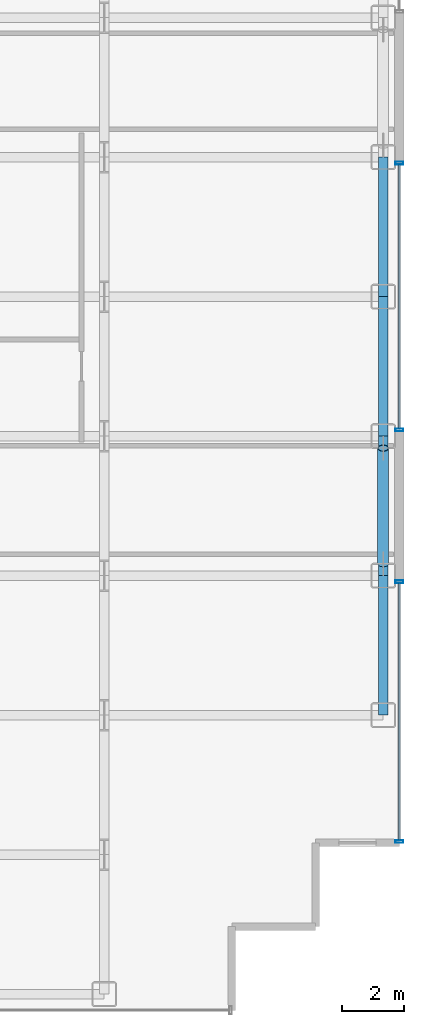
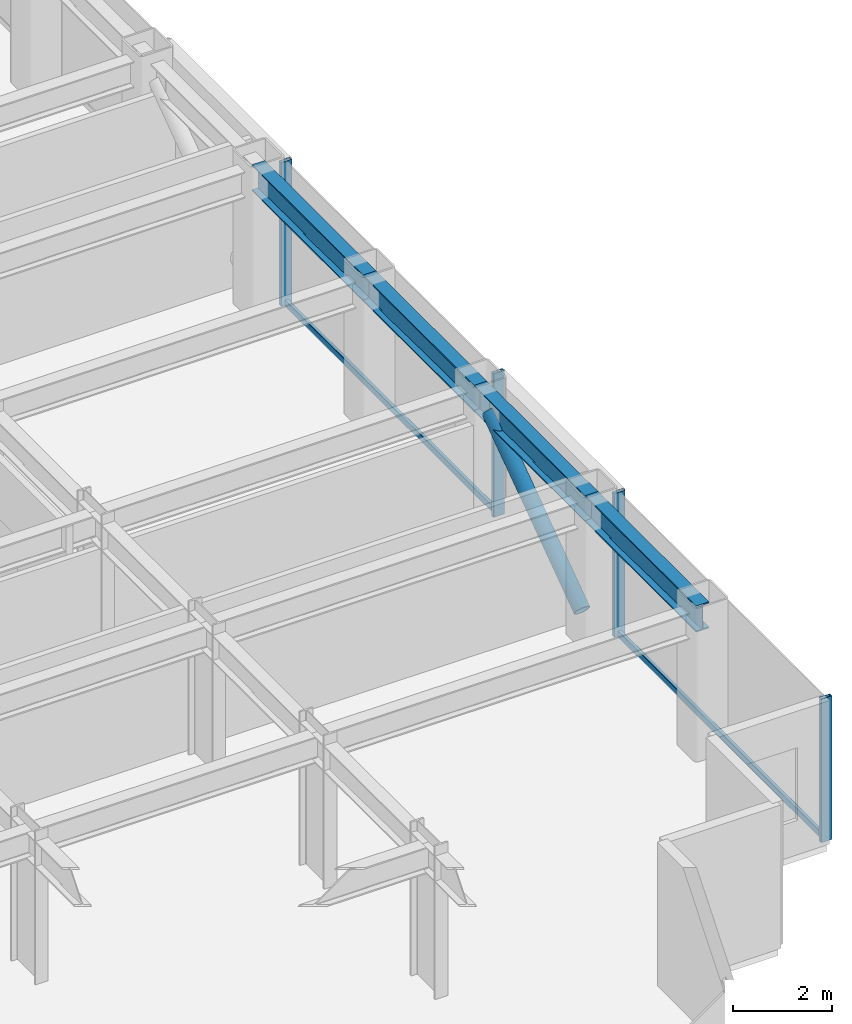
# One storey, part 18 of 29: 7 members, 4 beams, 2 elements without a shape of their own.
"""IFC4 building model written with IfcOpenShell, lengths in metres."""

from ifc_helpers import new_model, si_unit, direction, frame, origin, origin_2d, place, context, subcontext, project, spatial, hollow_rectangle, hollow_circle, i_section, extrude, source, transform, mapped, material, layer, layer_set, material_profile, profile_set, type_object, element, aggregate, save


model = new_model("IFC4")

# Units and contexts
model_context = context("Model", 3, precision=1e-05, world=origin(), true_north=direction((0.0, 1.0)))
body_context = subcontext(model_context, "Body", "Model", "MODEL_VIEW")
ifc_project = project(units=[si_unit("LENGTHUNIT", "METRE"), si_unit("AREAUNIT", "SQUARE_METRE"), si_unit("VOLUMEUNIT", "CUBIC_METRE"), si_unit("PLANEANGLEUNIT", "RADIAN"), si_unit("MASSUNIT", "GRAM", prefix="KILO")], contexts=[model_context])

# Site, building, storey
site_placement = place(None, origin())
site = spatial("IfcSite", under=ifc_project, at=site_placement, CompositionType="ELEMENT")
building_placement = place(site_placement, origin())
building = spatial("IfcBuilding", under=site, at=building_placement, Name="Nefas-Gora Pilgrimage Tower", CompositionType="ELEMENT")
storey_placement = place(building_placement, frame((0.0, 0.0, 125.0)))
storey = spatial("IfcBuildingStorey", under=building, at=storey_placement, Name="L30", CompositionType="ELEMENT", Elevation=125.0)

# Beams
ifc_material_1 = material(Name="Steel S355", Category="steel")
ifc_material_profile_1 = material_profile(ifc_material_1, i_section(OverallWidth=0.300048828125, OverallDepth=0.64990234375, WebThickness=0.01611328125, FlangeThickness=0.031005859375, FilletRadius=0.027099609375, at=origin_2d()), Name="HEB 650")
ifc_profile_set_1 = profile_set([ifc_material_profile_1], Name="Steel S355")
beam_type = type_object("IfcBeamType", Name="BM-SPN-HEB500", PredefinedType="SPANDREL", material=ifc_profile_set_1)
shared_shape_1 = source(origin(), body_context, "Body", "SweptSolid", [
    extrude(i_section(OverallWidth=0.300048828125, OverallDepth=0.64990234375, WebThickness=0.01611328125, FlangeThickness=0.031005859375, FilletRadius=0.027099609375, at=origin_2d()), origin(), (0.0, 0.0, 1.0), 4.5),
])
for number, where, z_axis, x_axis, name in (
    (1, (33.75, -13.5, 3.22509765625), (0.0, 1.0, 0.0), (-1.0, 0.0, 0.0), "L30 SP-02 beam"),
    (2, (33.75, -9.0, 3.22509765625), (0.0, 1.0, 0.0), (-1.0, 0.0, 0.0), "L30 SP-02 beam"),
    (3, (33.75, -4.5, 3.22509765625), (0.0, 1.0, 0.0), (-1.0, 0.0, 0.0), "L30 SP-02 beam"),
    (4, (33.75, 0.0, 3.22509765625), (0.0, 1.0, 0.0), (-1.0, 0.0, 0.0), "L30 SP-02 beam"),
):
    element("IfcBeam", number, at=place(storey_placement, frame(where, z_axis=z_axis, x_axis=x_axis)), inside=storey, type_object=beam_type, Name=name, PredefinedType="SPANDREL", context=body_context, shape_type="MappedRepresentation", body=[
        mapped(shared_shape_1, transform((0.0, 0.0, 0.0), x_axis=(1.0, 0.0, 0.0), y_axis=(0.0, 1.0, 0.0), z_axis=(0.0, 0.0, 1.0), scale=1.0)),
    ])

# Member
ifc_material_2 = material(Name="Steel S460", Category="steel")
ifc_material_profile_2 = material_profile(ifc_material_2, hollow_circle(Radius=0.177734375, WallThickness=0.02001953125, at=origin_2d()), Name="CHS 355.6x20")
ifc_profile_set_2 = profile_set([ifc_material_profile_2], Name="Steel S460")
member_type_1 = type_object("IfcMemberType", Name="MEM-TUBE-356", PredefinedType="BRACE", material=ifc_profile_set_2)
shared_shape_2 = source(origin(), body_context, "Body", "SweptSolid", [
    extrude(hollow_circle(Radius=0.177734375, WallThickness=0.02001953125, at=origin_2d()), origin(), (0.0, 0.0, 1.0), 4.579345703125),
])
member_1_placement = place(storey_placement, frame((33.75, -8.612060546875, 0.427490234375), z_axis=(0.0, 0.813246879171, 0.581918820385), x_axis=(-1.0, 0.0, 0.0)))
element("IfcMember", 5, at=member_1_placement, inside=storey, type_object=member_type_1, Name="L30 Perimeter Tube Diagonal Brace E1", PredefinedType="BRACE", context=body_context, shape_type="MappedRepresentation", body=[
    mapped(shared_shape_2, transform((0.0, 0.0, 0.0), x_axis=(1.0, 0.0, 0.0), y_axis=(0.0, 1.0, 0.0), z_axis=(0.0, 0.0, 1.0), scale=1.0)),
])

# Curtain wall, members
ifc_material_3 = material(Name="Dark ceramic-fritted solar-control aluminium-glass curtain wall", Category="aluminium")
ifc_layer = layer(ifc_material_3, 0.219970703125)
ifc_layer_set = layer_set([ifc_layer], Name="Dark ceramic-fritted solar-control aluminium-glass curtain wall")
curtain_wall_type = type_object("IfcCurtainWallType", Name="CW-SYS-2", PredefinedType="NOTDEFINED", material=ifc_layer_set)
curtain_wall_1_placement = place(storey_placement, origin())
curtain_wall_1 = element("IfcCurtainWall", 6, at=curtain_wall_1_placement, inside=storey, type_object=curtain_wall_type, Name="L30 Unitised Curtain Wall CW2", PredefinedType="NOTDEFINED")
ifc_material_4 = material(Name="Anodised architectural aluminium", Category="aluminium")
ifc_material_profile_3 = material_profile(ifc_material_4, hollow_rectangle(XDim=0.090087890625, YDim=0.260009765625, WallThickness=0.006103515625, InnerFilletRadius=0.006103515625, OuterFilletRadius=0.011962890625, at=origin_2d()), Name="ALU MULLION 90x260")
ifc_profile_set_3 = profile_set([ifc_material_profile_3], Name="Anodised architectural aluminium")
member_type_2 = type_object("IfcMemberType", Name="CWM-MUL-2", PredefinedType="MULLION", material=ifc_profile_set_3)
shared_shape_3 = source(origin(), body_context, "Body", "SweptSolid", [
    extrude(hollow_rectangle(XDim=0.090087890625, YDim=0.260009765625, WallThickness=0.006103515625, InnerFilletRadius=0.006103515625, OuterFilletRadius=0.011962890625, at=origin_2d()), origin(), (0.0, 0.0, 1.0), 3.550048828125),
])
member_2_placement = place(storey_placement, frame((34.27001953125, -17.574951171875, 0.0), z_axis=(0.0, 0.0, 1.0), x_axis=(0.0, 1.0, 0.0)))
member_2 = element("IfcMember", 7, at=member_2_placement, type_object=member_type_2, Name="CW2 Mullion 1", PredefinedType="MULLION", context=body_context, shape_type="MappedRepresentation", body=[
    mapped(shared_shape_3, transform((0.0, 0.0, 0.0), x_axis=(1.0, 0.0, 0.0), y_axis=(0.0, 1.0, 0.0), z_axis=(0.0, 0.0, 1.0), scale=1.0)),
])
member_3_placement = place(storey_placement, frame((34.27001953125, -9.195068359375, 0.0), z_axis=(0.0, 0.0, 1.0), x_axis=(0.0, 1.0, 0.0)))
member_3 = element("IfcMember", 8, at=member_3_placement, type_object=member_type_2, Name="CW2 Mullion 2", PredefinedType="MULLION", context=body_context, shape_type="MappedRepresentation", body=[
    mapped(shared_shape_3, transform((0.0, 0.0, 0.0), x_axis=(1.0, 0.0, 0.0), y_axis=(0.0, 1.0, 0.0), z_axis=(0.0, 0.0, 1.0), scale=1.0)),
])

curtain_wall_2_placement = place(storey_placement, origin())
curtain_wall_2 = element("IfcCurtainWall", 9, at=curtain_wall_2_placement, inside=storey, type_object=curtain_wall_type, Name="L30 Unitised Curtain Wall CW2", PredefinedType="NOTDEFINED")
member_4_placement = place(storey_placement, frame((34.27001953125, -4.304931640625, 0.0), z_axis=(0.0, 0.0, 1.0), x_axis=(0.0, 1.0, 0.0)))
member_4 = element("IfcMember", 10, at=member_4_placement, type_object=member_type_2, Name="CW2 Mullion 1", PredefinedType="MULLION", context=body_context, shape_type="MappedRepresentation", body=[
    mapped(shared_shape_3, transform((0.0, 0.0, 0.0), x_axis=(1.0, 0.0, 0.0), y_axis=(0.0, 1.0, 0.0), z_axis=(0.0, 0.0, 1.0), scale=1.0)),
])
member_5_placement = place(storey_placement, frame((34.27001953125, 4.304931640625, 0.0), z_axis=(0.0, 0.0, 1.0), x_axis=(0.0, 1.0, 0.0)))
member_5 = element("IfcMember", 11, at=member_5_placement, type_object=member_type_2, Name="CW2 Mullion 2", PredefinedType="MULLION", context=body_context, shape_type="MappedRepresentation", body=[
    mapped(shared_shape_3, transform((0.0, 0.0, 0.0), x_axis=(1.0, 0.0, 0.0), y_axis=(0.0, 1.0, 0.0), z_axis=(0.0, 0.0, 1.0), scale=1.0)),
])

# Member
ifc_material_profile_4 = material_profile(ifc_material_4, hollow_rectangle(XDim=0.080078125, YDim=0.159912109375, WallThickness=0.00439453125, InnerFilletRadius=0.00439453125, OuterFilletRadius=0.009033203125, at=origin_2d()), Name="ALU TRANSOM 80x160")
ifc_profile_set_4 = profile_set([ifc_material_profile_4], Name="Anodised architectural aluminium")
member_type_3 = type_object("IfcMemberType", Name="CWM-TRN-2", PredefinedType="USERDEFINED", material=ifc_profile_set_4)
shared_shape_4 = source(origin(), body_context, "Body", "SweptSolid", [
    extrude(hollow_rectangle(XDim=0.080078125, YDim=0.159912109375, WallThickness=0.00439453125, InnerFilletRadius=0.00439453125, OuterFilletRadius=0.009033203125, at=origin_2d()), origin(), (0.0, 0.0, 1.0), 8.2900390625),
])
member_6_placement = place(storey_placement, frame((34.27001953125, -17.530029296875, 0.050048828125), z_axis=(0.0, 1.0, 0.0), x_axis=(-1.0, 0.0, 0.0)))
member_6 = element("IfcMember", 12, at=member_6_placement, type_object=member_type_3, Name="CW2 Spandrel Transom", ObjectType="TRANSOM", PredefinedType="USERDEFINED", context=body_context, shape_type="MappedRepresentation", body=[
    mapped(shared_shape_4, transform((0.0, 0.0, 0.0), x_axis=(1.0, 0.0, 0.0), y_axis=(0.0, 1.0, 0.0), z_axis=(0.0, 0.0, 1.0), scale=1.0)),
])

aggregate(curtain_wall_1, [member_2, member_3, member_6])

shared_shape_5 = source(origin(), body_context, "Body", "SweptSolid", [
    extrude(hollow_rectangle(XDim=0.080078125, YDim=0.159912109375, WallThickness=0.00439453125, InnerFilletRadius=0.00439453125, OuterFilletRadius=0.009033203125, at=origin_2d()), origin(), (0.0, 0.0, 1.0), 8.52001953125),
])
member_7_placement = place(storey_placement, frame((34.27001953125, -4.260009765625, 0.050048828125), z_axis=(0.0, 1.0, 0.0), x_axis=(-1.0, 0.0, 0.0)))
member_7 = element("IfcMember", 13, at=member_7_placement, type_object=member_type_3, Name="CW2 Spandrel Transom", ObjectType="TRANSOM", PredefinedType="USERDEFINED", context=body_context, shape_type="MappedRepresentation", body=[
    mapped(shared_shape_5, transform((0.0, 0.0, 0.0), x_axis=(1.0, 0.0, 0.0), y_axis=(0.0, 1.0, 0.0), z_axis=(0.0, 0.0, 1.0), scale=1.0)),
])

aggregate(curtain_wall_2, [member_4, member_5, member_7])

save(model, "model.ifc")
